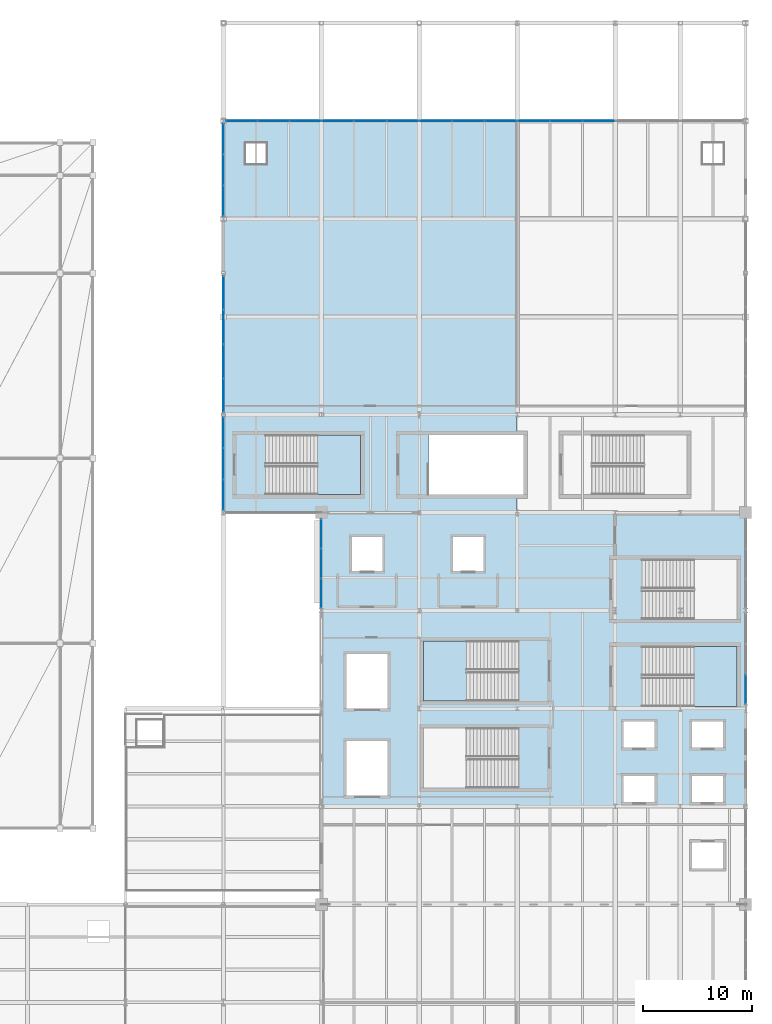
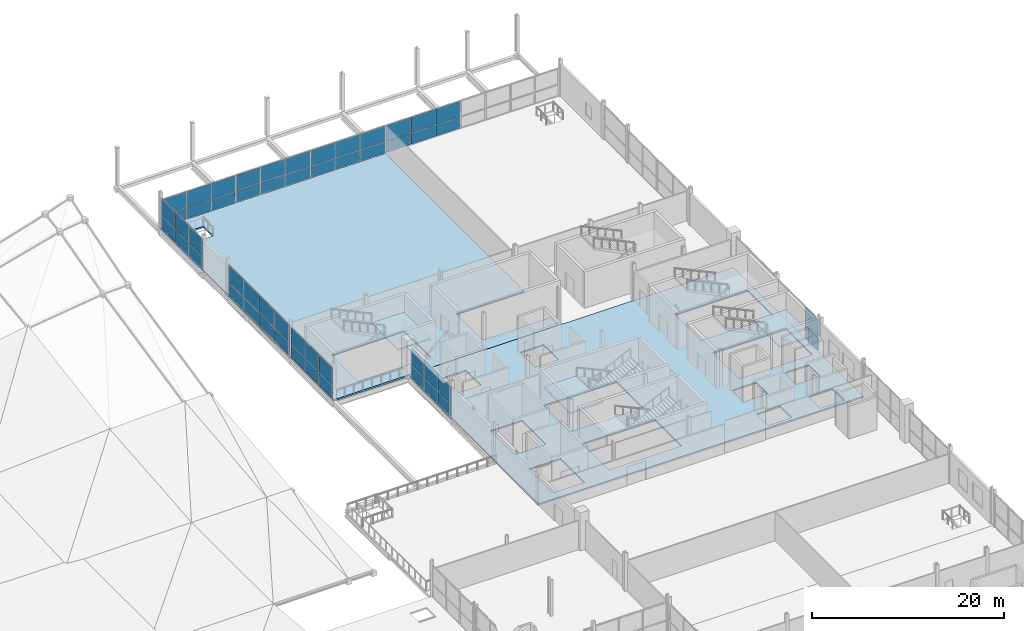
# One storey, part 45 of 69: 52 plates, 5 slabs, 12 elements without a shape of their own.
"""IFC4 building model written with IfcOpenShell, lengths in metres."""

from ifc_helpers import new_model, si_unit, direction, frame, origin, origin_2d, place, context, subcontext, project, spatial, polyline, rectangle, outline, extrude, material, layer, layer_set, type_object, element, aggregate, save


model = new_model("IFC4")

# Units and contexts
model_context = context("Model", 3, precision=1e-05, world=origin(), true_north=direction((0.0, 1.0)))
body_context = subcontext(model_context, "Body", "Model", "MODEL_VIEW")
ifc_project = project(units=[si_unit("LENGTHUNIT", "METRE"), si_unit("AREAUNIT", "SQUARE_METRE"), si_unit("VOLUMEUNIT", "CUBIC_METRE"), si_unit("PLANEANGLEUNIT", "RADIAN"), si_unit("MASSUNIT", "GRAM", prefix="KILO")], contexts=[model_context])

# Site, building, storey
site_placement = place(None, origin())
site = spatial("IfcSite", under=ifc_project, at=site_placement, CompositionType="ELEMENT")
building_placement = place(site_placement, origin())
building = spatial("IfcBuilding", under=site, at=building_placement, Name="Qamarlyn Nura Convention Centre", CompositionType="ELEMENT")
storey_placement = place(building_placement, frame((0.0, 0.0, 15.60009765625)))
storey = spatial("IfcBuildingStorey", under=building, at=storey_placement, Name="L03", CompositionType="ELEMENT", Elevation=15.60009765625)

# Curtain wall, plates
ifc_material_1 = material(Name="Double-silver low-E insulated glass", Category="glass")
ifc_layer_1 = layer(ifc_material_1, 0.179931640625, Name="CW-UNIT-114")
ifc_layer_set_1 = layer_set([ifc_layer_1], Name="Double-silver low-E insulated glass")
curtain_wall_type_1 = type_object("IfcCurtainWallType", Name="CW-UNIT-114", PredefinedType="NOTDEFINED", material=ifc_layer_set_1)
curtain_wall_1_placement = place(storey_placement, origin())
curtain_wall_1 = element("IfcCurtainWall", 1, at=curtain_wall_1_placement, inside=storey, type_object=curtain_wall_type_1, Name="L03 unitised curtain wall EAST-8-1", PredefinedType="NOTDEFINED")
ifc_layer_2 = layer(ifc_material_1, 0.028076171875, Name="CWP-VIS-28")
ifc_layer_set_2 = layer_set([ifc_layer_2], Name="Double-silver low-E insulated glass")
plate_type_1 = type_object("IfcPlateType", Name="CWP-VIS-28", PredefinedType="CURTAIN_PANEL", material=ifc_layer_set_2)
plate_1_placement = place(storey_placement, frame((192.0, 64.771728515625, 0.06982421875), z_axis=(0.0, 0.0, 1.0), x_axis=(0.0, -1.0, 0.0)))
plate_1 = element("IfcPlate", 2, at=plate_1_placement, type_object=plate_type_1, Name="CW114 panel 3.1", PredefinedType="CURTAIN_PANEL", context=body_context, shape_type="SweptSolid", body=[
    extrude(rectangle(XDim=2.708251953125, YDim=0.028076171875, at=origin_2d()), origin(), (0.0, 0.0, 1.0), 1.625),
])
plate_2_placement = place(storey_placement, frame((192.0, 64.771728515625, 1.76513671875), z_axis=(0.0, 0.0, 1.0), x_axis=(0.0, -1.0, 0.0)))
plate_2 = element("IfcPlate", 3, at=plate_2_placement, type_object=plate_type_1, Name="CW114 panel 3.2", PredefinedType="CURTAIN_PANEL", context=body_context, shape_type="SweptSolid", body=[
    extrude(rectangle(XDim=2.708251953125, YDim=0.028076171875, at=origin_2d()), origin(), (0.0, 0.0, 1.0), 2.283935546875),
])
aggregate(curtain_wall_1, [plate_1, plate_2])

ifc_layer_3 = layer(ifc_material_1, 0.179931640625, Name="CW-UNIT-101")
ifc_layer_set_3 = layer_set([ifc_layer_3], Name="Double-silver low-E insulated glass")
curtain_wall_type_2 = type_object("IfcCurtainWallType", Name="CW-UNIT-101", PredefinedType="NOTDEFINED", material=ifc_layer_set_3)
curtain_wall_2_placement = place(storey_placement, origin())
curtain_wall_2 = element("IfcCurtainWall", 4, at=curtain_wall_2_placement, inside=storey, type_object=curtain_wall_type_2, Name="L03 unitised curtain wall CRT-72-1", PredefinedType="NOTDEFINED")
plate_3_placement = place(storey_placement, frame((153.0, 73.6015625, 0.06494140625), z_axis=(0.0, 0.0, 1.0), x_axis=(0.0, 1.0, 0.0)))
plate_3 = element("IfcPlate", 5, at=plate_3_placement, type_object=plate_type_1, Name="CW101 panel 1.1", PredefinedType="CURTAIN_PANEL", context=body_context, shape_type="SweptSolid", body=[
    extrude(rectangle(XDim=2.6484375, YDim=0.028076171875, at=origin_2d()), origin(), (0.0, 0.0, 1.0), 1.571533203125),
])
plate_4_placement = place(storey_placement, frame((153.0, 73.6015625, 1.701416015625), z_axis=(0.0, 0.0, 1.0), x_axis=(0.0, 1.0, 0.0)))
plate_4 = element("IfcPlate", 6, at=plate_4_placement, type_object=plate_type_1, Name="CW101 panel 1.2", PredefinedType="CURTAIN_PANEL", context=body_context, shape_type="SweptSolid", body=[
    extrude(rectangle(XDim=2.6484375, YDim=0.028076171875, at=origin_2d()), origin(), (0.0, 0.0, 1.0), 2.20751953125),
])
plate_5_placement = place(storey_placement, frame((153.0, 76.331298828125, 0.06494140625), z_axis=(0.0, 0.0, 1.0), x_axis=(0.0, 1.0, 0.0)))
plate_5 = element("IfcPlate", 7, at=plate_5_placement, type_object=plate_type_1, Name="CW101 panel 2.1", PredefinedType="CURTAIN_PANEL", context=body_context, shape_type="SweptSolid", body=[
    extrude(rectangle(XDim=2.680908203125, YDim=0.028076171875, at=origin_2d()), origin(), (0.0, 0.0, 1.0), 1.571533203125),
])
plate_6_placement = place(storey_placement, frame((153.0, 76.331298828125, 1.701416015625), z_axis=(0.0, 0.0, 1.0), x_axis=(0.0, 1.0, 0.0)))
plate_6 = element("IfcPlate", 8, at=plate_6_placement, type_object=plate_type_1, Name="CW101 panel 2.2", PredefinedType="CURTAIN_PANEL", context=body_context, shape_type="SweptSolid", body=[
    extrude(rectangle(XDim=2.680908203125, YDim=0.028076171875, at=origin_2d()), origin(), (0.0, 0.0, 1.0), 2.20751953125),
])
plate_7_placement = place(storey_placement, frame((153.0, 79.060791015625, 0.06494140625), z_axis=(0.0, 0.0, 1.0), x_axis=(0.0, 1.0, 0.0)))
plate_7 = element("IfcPlate", 9, at=plate_7_placement, type_object=plate_type_1, Name="CW101 panel 3.1", PredefinedType="CURTAIN_PANEL", context=body_context, shape_type="SweptSolid", body=[
    extrude(rectangle(XDim=2.6484375, YDim=0.028076171875, at=origin_2d()), origin(), (0.0, 0.0, 1.0), 1.571533203125),
])
plate_8_placement = place(storey_placement, frame((153.0, 79.060791015625, 1.701416015625), z_axis=(0.0, 0.0, 1.0), x_axis=(0.0, 1.0, 0.0)))
plate_8 = element("IfcPlate", 10, at=plate_8_placement, type_object=plate_type_1, Name="CW101 panel 3.2", PredefinedType="CURTAIN_PANEL", context=body_context, shape_type="SweptSolid", body=[
    extrude(rectangle(XDim=2.6484375, YDim=0.028076171875, at=origin_2d()), origin(), (0.0, 0.0, 1.0), 2.20751953125),
])
aggregate(curtain_wall_2, [plate_3, plate_4, plate_5, plate_6, plate_7, plate_8])

ifc_layer_4 = layer(ifc_material_1, 0.179931640625, Name="CW-UNIT-127")
ifc_layer_set_4 = layer_set([ifc_layer_4], Name="Double-silver low-E insulated glass")
curtain_wall_type_3 = type_object("IfcCurtainWallType", Name="CW-UNIT-127", PredefinedType="NOTDEFINED", material=ifc_layer_set_4)
curtain_wall_3_placement = place(storey_placement, origin())
curtain_wall_3 = element("IfcCurtainWall", 11, at=curtain_wall_3_placement, inside=storey, type_object=curtain_wall_type_3, Name="L03 unitised curtain wall PLW-81-1", PredefinedType="NOTDEFINED")
plate_9_placement = place(storey_placement, frame((144.0, 82.640869140625, 0.059814453125), z_axis=(0.0, 0.0, 1.0), x_axis=(0.0, 1.0, 0.0)))
plate_9 = element("IfcPlate", 12, at=plate_9_placement, type_object=plate_type_1, Name="CW127 panel 1.1", PredefinedType="CURTAIN_PANEL", context=body_context, shape_type="SweptSolid", body=[
    extrude(rectangle(XDim=2.78955078125, YDim=0.028076171875, at=origin_2d()), origin(), (0.0, 0.0, 1.0), 1.56298828125),
])
plate_10_placement = place(storey_placement, frame((144.0, 82.640869140625, 1.6826171875), z_axis=(0.0, 0.0, 1.0), x_axis=(0.0, 1.0, 0.0)))
plate_10 = element("IfcPlate", 13, at=plate_10_placement, type_object=plate_type_1, Name="CW127 panel 1.2", PredefinedType="CURTAIN_PANEL", context=body_context, shape_type="SweptSolid", body=[
    extrude(rectangle(XDim=2.78955078125, YDim=0.028076171875, at=origin_2d()), origin(), (0.0, 0.0, 1.0), 2.193115234375),
])
plate_11_placement = place(storey_placement, frame((144.0, 85.505615234375, 0.059814453125), z_axis=(0.0, 0.0, 1.0), x_axis=(0.0, 1.0, 0.0)))
plate_11 = element("IfcPlate", 14, at=plate_11_placement, type_object=plate_type_1, Name="CW127 panel 2.1", PredefinedType="CURTAIN_PANEL", context=body_context, shape_type="SweptSolid", body=[
    extrude(rectangle(XDim=2.819580078125, YDim=0.028076171875, at=origin_2d()), origin(), (0.0, 0.0, 1.0), 1.56298828125),
])
plate_12_placement = place(storey_placement, frame((144.0, 85.505615234375, 1.6826171875), z_axis=(0.0, 0.0, 1.0), x_axis=(0.0, 1.0, 0.0)))
plate_12 = element("IfcPlate", 15, at=plate_12_placement, type_object=plate_type_1, Name="CW127 panel 2.2", PredefinedType="CURTAIN_PANEL", context=body_context, shape_type="SweptSolid", body=[
    extrude(rectangle(XDim=2.819580078125, YDim=0.028076171875, at=origin_2d()), origin(), (0.0, 0.0, 1.0), 2.193115234375),
])
plate_13_placement = place(storey_placement, frame((144.0, 88.3701171875, 0.059814453125), z_axis=(0.0, 0.0, 1.0), x_axis=(0.0, 1.0, 0.0)))
plate_13 = element("IfcPlate", 16, at=plate_13_placement, type_object=plate_type_1, Name="CW127 panel 3.1", PredefinedType="CURTAIN_PANEL", context=body_context, shape_type="SweptSolid", body=[
    extrude(rectangle(XDim=2.78955078125, YDim=0.028076171875, at=origin_2d()), origin(), (0.0, 0.0, 1.0), 1.56298828125),
])
plate_14_placement = place(storey_placement, frame((144.0, 88.3701171875, 1.6826171875), z_axis=(0.0, 0.0, 1.0), x_axis=(0.0, 1.0, 0.0)))
plate_14 = element("IfcPlate", 17, at=plate_14_placement, type_object=plate_type_1, Name="CW127 panel 3.2", PredefinedType="CURTAIN_PANEL", context=body_context, shape_type="SweptSolid", body=[
    extrude(rectangle(XDim=2.78955078125, YDim=0.028076171875, at=origin_2d()), origin(), (0.0, 0.0, 1.0), 2.193115234375),
])
aggregate(curtain_wall_3, [plate_9, plate_10, plate_11, plate_12, plate_13, plate_14])

ifc_layer_5 = layer(ifc_material_1, 0.179931640625, Name="CW-UNIT-128")
ifc_layer_set_5 = layer_set([ifc_layer_5], Name="Double-silver low-E insulated glass")
curtain_wall_type_4 = type_object("IfcCurtainWallType", Name="CW-UNIT-128", PredefinedType="NOTDEFINED", material=ifc_layer_set_5)
curtain_wall_4_placement = place(storey_placement, origin())
curtain_wall_4 = element("IfcCurtainWall", 18, at=curtain_wall_4_placement, inside=storey, type_object=curtain_wall_type_4, Name="L03 unitised curtain wall PLW-90-1", PredefinedType="NOTDEFINED")
plate_15_placement = place(storey_placement, frame((144.0, 91.7705078125, 0.06982421875), z_axis=(0.0, 0.0, 1.0), x_axis=(0.0, 1.0, 0.0)))
plate_15 = element("IfcPlate", 19, at=plate_15_placement, type_object=plate_type_1, Name="CW128 panel 1.1", PredefinedType="CURTAIN_PANEL", context=body_context, shape_type="SweptSolid", body=[
    extrude(rectangle(XDim=3.05126953125, YDim=0.028076171875, at=origin_2d()), origin(), (0.0, 0.0, 1.0), 1.5791015625),
])
plate_16_placement = place(storey_placement, frame((144.0, 91.7705078125, 1.71875), z_axis=(0.0, 0.0, 1.0), x_axis=(0.0, 1.0, 0.0)))
plate_16 = element("IfcPlate", 20, at=plate_16_placement, type_object=plate_type_1, Name="CW128 panel 1.2", PredefinedType="CURTAIN_PANEL", context=body_context, shape_type="SweptSolid", body=[
    extrude(rectangle(XDim=3.05126953125, YDim=0.028076171875, at=origin_2d()), origin(), (0.0, 0.0, 1.0), 2.219970703125),
])
plate_17_placement = place(storey_placement, frame((144.0, 94.909423828125, 0.06982421875), z_axis=(0.0, 0.0, 1.0), x_axis=(0.0, 1.0, 0.0)))
plate_17 = element("IfcPlate", 21, at=plate_17_placement, type_object=plate_type_1, Name="CW128 panel 2.1", PredefinedType="CURTAIN_PANEL", context=body_context, shape_type="SweptSolid", body=[
    extrude(rectangle(XDim=3.086181640625, YDim=0.028076171875, at=origin_2d()), origin(), (0.0, 0.0, 1.0), 1.5791015625),
])
plate_18_placement = place(storey_placement, frame((144.0, 94.909423828125, 1.71875), z_axis=(0.0, 0.0, 1.0), x_axis=(0.0, 1.0, 0.0)))
plate_18 = element("IfcPlate", 22, at=plate_18_placement, type_object=plate_type_1, Name="CW128 panel 2.2", PredefinedType="CURTAIN_PANEL", context=body_context, shape_type="SweptSolid", body=[
    extrude(rectangle(XDim=3.086181640625, YDim=0.028076171875, at=origin_2d()), origin(), (0.0, 0.0, 1.0), 2.219970703125),
])
plate_19_placement = place(storey_placement, frame((144.0, 98.065673828125, 0.06982421875), z_axis=(0.0, 0.0, 1.0), x_axis=(0.0, 1.0, 0.0)))
plate_19 = element("IfcPlate", 23, at=plate_19_placement, type_object=plate_type_1, Name="CW128 panel 3.1", PredefinedType="CURTAIN_PANEL", context=body_context, shape_type="SweptSolid", body=[
    extrude(rectangle(XDim=3.086181640625, YDim=0.028076171875, at=origin_2d()), origin(), (0.0, 0.0, 1.0), 1.5791015625),
])
plate_20_placement = place(storey_placement, frame((144.0, 98.065673828125, 1.71875), z_axis=(0.0, 0.0, 1.0), x_axis=(0.0, 1.0, 0.0)))
plate_20 = element("IfcPlate", 24, at=plate_20_placement, type_object=plate_type_1, Name="CW128 panel 3.2", PredefinedType="CURTAIN_PANEL", context=body_context, shape_type="SweptSolid", body=[
    extrude(rectangle(XDim=3.086181640625, YDim=0.028076171875, at=origin_2d()), origin(), (0.0, 0.0, 1.0), 2.219970703125),
])
plate_21_placement = place(storey_placement, frame((144.0, 101.204345703125, 0.06982421875), z_axis=(0.0, 0.0, 1.0), x_axis=(0.0, 1.0, 0.0)))
plate_21 = element("IfcPlate", 25, at=plate_21_placement, type_object=plate_type_1, Name="CW128 panel 4.1", PredefinedType="CURTAIN_PANEL", context=body_context, shape_type="SweptSolid", body=[
    extrude(rectangle(XDim=3.05126953125, YDim=0.028076171875, at=origin_2d()), origin(), (0.0, 0.0, 1.0), 1.5791015625),
])
plate_22_placement = place(storey_placement, frame((144.0, 101.204345703125, 1.71875), z_axis=(0.0, 0.0, 1.0), x_axis=(0.0, 1.0, 0.0)))
plate_22 = element("IfcPlate", 26, at=plate_22_placement, type_object=plate_type_1, Name="CW128 panel 4.2", PredefinedType="CURTAIN_PANEL", context=body_context, shape_type="SweptSolid", body=[
    extrude(rectangle(XDim=3.05126953125, YDim=0.028076171875, at=origin_2d()), origin(), (0.0, 0.0, 1.0), 2.219970703125),
])
aggregate(curtain_wall_4, [plate_15, plate_16, plate_17, plate_18, plate_19, plate_20, plate_21, plate_22])

ifc_layer_6 = layer(ifc_material_1, 0.179931640625, Name="CW-UNIT-130")
ifc_layer_set_6 = layer_set([ifc_layer_6], Name="Double-silver low-E insulated glass")
curtain_wall_type_5 = type_object("IfcCurtainWallType", Name="CW-UNIT-130", PredefinedType="NOTDEFINED", material=ifc_layer_set_6)
curtain_wall_5_placement = place(storey_placement, origin())
curtain_wall_5 = element("IfcCurtainWall", 27, at=curtain_wall_5_placement, inside=storey, type_object=curtain_wall_type_5, Name="L03 unitised curtain wall PLN-N1-1", PredefinedType="NOTDEFINED")
plate_23_placement = place(storey_placement, frame((145.6708984375, 117.0, 0.06005859375), z_axis=(0.0, 0.0, 1.0), x_axis=(1.0, 0.0, 0.0)))
plate_23 = element("IfcPlate", 28, at=plate_23_placement, type_object=plate_type_1, Name="CW130 panel 1.1", PredefinedType="CURTAIN_PANEL", context=body_context, shape_type="SweptSolid", body=[
    extrude(rectangle(XDim=2.84765625, YDim=0.028076171875, at=origin_2d()), origin(), (0.0, 0.0, 1.0), 1.406982421875),
])
plate_24_placement = place(storey_placement, frame((145.6708984375, 117.0, 1.52685546875), z_axis=(0.0, 0.0, 1.0), x_axis=(1.0, 0.0, 0.0)))
plate_24 = element("IfcPlate", 29, at=plate_24_placement, type_object=plate_type_1, Name="CW130 panel 1.2", PredefinedType="CURTAIN_PANEL", context=body_context, shape_type="SweptSolid", body=[
    extrude(rectangle(XDim=2.84765625, YDim=0.028076171875, at=origin_2d()), origin(), (0.0, 0.0, 1.0), 1.9765625),
])
plate_25_placement = place(storey_placement, frame((148.593505859375, 117.0, 0.06005859375), z_axis=(0.0, 0.0, 1.0), x_axis=(1.0, 0.0, 0.0)))
plate_25 = element("IfcPlate", 30, at=plate_25_placement, type_object=plate_type_1, Name="CW130 panel 2.1", PredefinedType="CURTAIN_PANEL", context=body_context, shape_type="SweptSolid", body=[
    extrude(rectangle(XDim=2.877685546875, YDim=0.028076171875, at=origin_2d()), origin(), (0.0, 0.0, 1.0), 1.406982421875),
])
plate_26_placement = place(storey_placement, frame((148.593505859375, 117.0, 1.52685546875), z_axis=(0.0, 0.0, 1.0), x_axis=(1.0, 0.0, 0.0)))
plate_26 = element("IfcPlate", 31, at=plate_26_placement, type_object=plate_type_1, Name="CW130 panel 2.2", PredefinedType="CURTAIN_PANEL", context=body_context, shape_type="SweptSolid", body=[
    extrude(rectangle(XDim=2.877685546875, YDim=0.028076171875, at=origin_2d()), origin(), (0.0, 0.0, 1.0), 1.9765625),
])
plate_27_placement = place(storey_placement, frame((151.51611328125, 117.0, 0.06005859375), z_axis=(0.0, 0.0, 1.0), x_axis=(1.0, 0.0, 0.0)))
plate_27 = element("IfcPlate", 32, at=plate_27_placement, type_object=plate_type_1, Name="CW130 panel 3.1", PredefinedType="CURTAIN_PANEL", context=body_context, shape_type="SweptSolid", body=[
    extrude(rectangle(XDim=2.84765625, YDim=0.028076171875, at=origin_2d()), origin(), (0.0, 0.0, 1.0), 1.406982421875),
])
plate_28_placement = place(storey_placement, frame((151.51611328125, 117.0, 1.52685546875), z_axis=(0.0, 0.0, 1.0), x_axis=(1.0, 0.0, 0.0)))
plate_28 = element("IfcPlate", 33, at=plate_28_placement, type_object=plate_type_1, Name="CW130 panel 3.2", PredefinedType="CURTAIN_PANEL", context=body_context, shape_type="SweptSolid", body=[
    extrude(rectangle(XDim=2.84765625, YDim=0.028076171875, at=origin_2d()), origin(), (0.0, 0.0, 1.0), 1.9765625),
])
aggregate(curtain_wall_5, [plate_23, plate_24, plate_25, plate_26, plate_27, plate_28])

ifc_layer_7 = layer(ifc_material_1, 0.179931640625, Name="CW-UNIT-131")
ifc_layer_set_7 = layer_set([ifc_layer_7], Name="Double-silver low-E insulated glass")
curtain_wall_type_6 = type_object("IfcCurtainWallType", Name="CW-UNIT-131", PredefinedType="NOTDEFINED", material=ifc_layer_set_7)
curtain_wall_6_placement = place(storey_placement, origin())
curtain_wall_6 = element("IfcCurtainWall", 34, at=curtain_wall_6_placement, inside=storey, type_object=curtain_wall_type_6, Name="L03 unitised curtain wall PLN-N2-1", PredefinedType="NOTDEFINED")
plate_29_placement = place(storey_placement, frame((154.517578125, 117.0, 0.06982421875), z_axis=(0.0, 0.0, 1.0), x_axis=(1.0, 0.0, 0.0)))
plate_29 = element("IfcPlate", 35, at=plate_29_placement, type_object=plate_type_1, Name="CW131 panel 1.1", PredefinedType="CURTAIN_PANEL", context=body_context, shape_type="SweptSolid", body=[
    extrude(rectangle(XDim=2.89501953125, YDim=0.028076171875, at=origin_2d()), origin(), (0.0, 0.0, 1.0), 1.39208984375),
])
plate_30_placement = place(storey_placement, frame((154.517578125, 117.0, 1.531982421875), z_axis=(0.0, 0.0, 1.0), x_axis=(1.0, 0.0, 0.0)))
plate_30 = element("IfcPlate", 36, at=plate_30_placement, type_object=plate_type_1, Name="CW131 panel 1.2", PredefinedType="CURTAIN_PANEL", context=body_context, shape_type="SweptSolid", body=[
    extrude(rectangle(XDim=2.89501953125, YDim=0.028076171875, at=origin_2d()), origin(), (0.0, 0.0, 1.0), 1.96142578125),
])
plate_31_placement = place(storey_placement, frame((157.5, 117.0, 0.06982421875), z_axis=(0.0, 0.0, 1.0), x_axis=(1.0, 0.0, 0.0)))
plate_31 = element("IfcPlate", 37, at=plate_31_placement, type_object=plate_type_1, Name="CW131 panel 2.1", PredefinedType="CURTAIN_PANEL", context=body_context, shape_type="SweptSolid", body=[
    extrude(rectangle(XDim=2.929931640625, YDim=0.028076171875, at=origin_2d()), origin(), (0.0, 0.0, 1.0), 1.39208984375),
])
plate_32_placement = place(storey_placement, frame((157.5, 117.0, 1.531982421875), z_axis=(0.0, 0.0, 1.0), x_axis=(1.0, 0.0, 0.0)))
plate_32 = element("IfcPlate", 38, at=plate_32_placement, type_object=plate_type_1, Name="CW131 panel 2.2", PredefinedType="CURTAIN_PANEL", context=body_context, shape_type="SweptSolid", body=[
    extrude(rectangle(XDim=2.929931640625, YDim=0.028076171875, at=origin_2d()), origin(), (0.0, 0.0, 1.0), 1.96142578125),
])
plate_33_placement = place(storey_placement, frame((160.482421875, 117.0, 0.06982421875), z_axis=(0.0, 0.0, 1.0), x_axis=(1.0, 0.0, 0.0)))
plate_33 = element("IfcPlate", 39, at=plate_33_placement, type_object=plate_type_1, Name="CW131 panel 3.1", PredefinedType="CURTAIN_PANEL", context=body_context, shape_type="SweptSolid", body=[
    extrude(rectangle(XDim=2.89501953125, YDim=0.028076171875, at=origin_2d()), origin(), (0.0, 0.0, 1.0), 1.39208984375),
])
plate_34_placement = place(storey_placement, frame((160.482421875, 117.0, 1.531982421875), z_axis=(0.0, 0.0, 1.0), x_axis=(1.0, 0.0, 0.0)))
plate_34 = element("IfcPlate", 40, at=plate_34_placement, type_object=plate_type_1, Name="CW131 panel 3.2", PredefinedType="CURTAIN_PANEL", context=body_context, shape_type="SweptSolid", body=[
    extrude(rectangle(XDim=2.89501953125, YDim=0.028076171875, at=origin_2d()), origin(), (0.0, 0.0, 1.0), 1.96142578125),
])
aggregate(curtain_wall_6, [plate_29, plate_30, plate_31, plate_32, plate_33, plate_34])

curtain_wall_7_placement = place(storey_placement, origin())
curtain_wall_7 = element("IfcCurtainWall", 41, at=curtain_wall_7_placement, inside=storey, type_object=curtain_wall_type_6, Name="L03 unitised curtain wall PLN-N3-1", PredefinedType="NOTDEFINED")
plate_35_placement = place(storey_placement, frame((163.516357421875, 117.0, 0.06494140625), z_axis=(0.0, 0.0, 1.0), x_axis=(1.0, 0.0, 0.0)))
plate_35 = element("IfcPlate", 42, at=plate_35_placement, type_object=plate_type_1, Name="CW131 panel 1.1", PredefinedType="CURTAIN_PANEL", context=body_context, shape_type="SweptSolid", body=[
    extrude(rectangle(XDim=2.902587890625, YDim=0.028076171875, at=origin_2d()), origin(), (0.0, 0.0, 1.0), 1.3994140625),
])
plate_36_placement = place(storey_placement, frame((163.516357421875, 117.0, 1.529296875), z_axis=(0.0, 0.0, 1.0), x_axis=(1.0, 0.0, 0.0)))
plate_36 = element("IfcPlate", 43, at=plate_36_placement, type_object=plate_type_1, Name="CW131 panel 1.2", PredefinedType="CURTAIN_PANEL", context=body_context, shape_type="SweptSolid", body=[
    extrude(rectangle(XDim=2.902587890625, YDim=0.028076171875, at=origin_2d()), origin(), (0.0, 0.0, 1.0), 1.968994140625),
])
plate_37_placement = place(storey_placement, frame((166.5, 117.0, 0.06494140625), z_axis=(0.0, 0.0, 1.0), x_axis=(1.0, 0.0, 0.0)))
plate_37 = element("IfcPlate", 44, at=plate_37_placement, type_object=plate_type_1, Name="CW131 panel 2.1", PredefinedType="CURTAIN_PANEL", context=body_context, shape_type="SweptSolid", body=[
    extrude(rectangle(XDim=2.93505859375, YDim=0.028076171875, at=origin_2d()), origin(), (0.0, 0.0, 1.0), 1.3994140625),
])
plate_38_placement = place(storey_placement, frame((166.5, 117.0, 1.529296875), z_axis=(0.0, 0.0, 1.0), x_axis=(1.0, 0.0, 0.0)))
plate_38 = element("IfcPlate", 45, at=plate_38_placement, type_object=plate_type_1, Name="CW131 panel 2.2", PredefinedType="CURTAIN_PANEL", context=body_context, shape_type="SweptSolid", body=[
    extrude(rectangle(XDim=2.93505859375, YDim=0.028076171875, at=origin_2d()), origin(), (0.0, 0.0, 1.0), 1.968994140625),
])
plate_39_placement = place(storey_placement, frame((169.483642578125, 117.0, 0.06494140625), z_axis=(0.0, 0.0, 1.0), x_axis=(1.0, 0.0, 0.0)))
plate_39 = element("IfcPlate", 46, at=plate_39_placement, type_object=plate_type_1, Name="CW131 panel 3.1", PredefinedType="CURTAIN_PANEL", context=body_context, shape_type="SweptSolid", body=[
    extrude(rectangle(XDim=2.902587890625, YDim=0.028076171875, at=origin_2d()), origin(), (0.0, 0.0, 1.0), 1.3994140625),
])
plate_40_placement = place(storey_placement, frame((169.483642578125, 117.0, 1.529296875), z_axis=(0.0, 0.0, 1.0), x_axis=(1.0, 0.0, 0.0)))
plate_40 = element("IfcPlate", 47, at=plate_40_placement, type_object=plate_type_1, Name="CW131 panel 3.2", PredefinedType="CURTAIN_PANEL", context=body_context, shape_type="SweptSolid", body=[
    extrude(rectangle(XDim=2.902587890625, YDim=0.028076171875, at=origin_2d()), origin(), (0.0, 0.0, 1.0), 1.968994140625),
])
aggregate(curtain_wall_7, [plate_35, plate_36, plate_37, plate_38, plate_39, plate_40])

ifc_layer_8 = layer(ifc_material_1, 0.179931640625, Name="CW-UNIT-129")
ifc_layer_set_8 = layer_set([ifc_layer_8], Name="Double-silver low-E insulated glass")
curtain_wall_type_7 = type_object("IfcCurtainWallType", Name="CW-UNIT-129", PredefinedType="NOTDEFINED", material=ifc_layer_set_8)
curtain_wall_8_placement = place(storey_placement, origin())
curtain_wall_8 = element("IfcCurtainWall", 48, at=curtain_wall_8_placement, inside=storey, type_object=curtain_wall_type_7, Name="L03 unitised curtain wall PLW-108-1", PredefinedType="NOTDEFINED")
ifc_layer_9 = layer(ifc_material_1, 0.031982421875, Name="CWP-VIS-32")
ifc_layer_set_9 = layer_set([ifc_layer_9], Name="Double-silver low-E insulated glass")
plate_type_2 = type_object("IfcPlateType", Name="CWP-VIS-32", PredefinedType="CURTAIN_PANEL", material=ifc_layer_set_9)
plate_41_placement = place(storey_placement, frame((144.0, 109.64892578125, 0.06494140625), z_axis=(0.0, 0.0, 1.0), x_axis=(0.0, 1.0, 0.0)))
plate_41 = element("IfcPlate", 49, at=plate_41_placement, type_object=plate_type_2, Name="CW129 panel 1.1", PredefinedType="CURTAIN_PANEL", context=body_context, shape_type="SweptSolid", body=[
    extrude(rectangle(XDim=2.77490234375, YDim=0.031982421875, at=origin_2d()), origin(), (0.0, 0.0, 1.0), 1.553466796875),
])
plate_42_placement = place(storey_placement, frame((144.0, 109.64892578125, 1.68359375), z_axis=(0.0, 0.0, 1.0), x_axis=(0.0, 1.0, 0.0)))
plate_42 = element("IfcPlate", 50, at=plate_42_placement, type_object=plate_type_2, Name="CW129 panel 1.2", PredefinedType="CURTAIN_PANEL", context=body_context, shape_type="SweptSolid", body=[
    extrude(rectangle(XDim=2.77490234375, YDim=0.031982421875, at=origin_2d()), origin(), (0.0, 0.0, 1.0), 2.181396484375),
])
plate_43_placement = place(storey_placement, frame((144.0, 112.50537109375, 0.06494140625), z_axis=(0.0, 0.0, 1.0), x_axis=(0.0, 1.0, 0.0)))
plate_43 = element("IfcPlate", 51, at=plate_43_placement, type_object=plate_type_2, Name="CW129 panel 2.1", PredefinedType="CURTAIN_PANEL", context=body_context, shape_type="SweptSolid", body=[
    extrude(rectangle(XDim=2.8076171875, YDim=0.031982421875, at=origin_2d()), origin(), (0.0, 0.0, 1.0), 1.553466796875),
])
plate_44_placement = place(storey_placement, frame((144.0, 112.50537109375, 1.68359375), z_axis=(0.0, 0.0, 1.0), x_axis=(0.0, 1.0, 0.0)))
plate_44 = element("IfcPlate", 52, at=plate_44_placement, type_object=plate_type_2, Name="CW129 panel 2.2", PredefinedType="CURTAIN_PANEL", context=body_context, shape_type="SweptSolid", body=[
    extrude(rectangle(XDim=2.8076171875, YDim=0.031982421875, at=origin_2d()), origin(), (0.0, 0.0, 1.0), 2.181396484375),
])
plate_45_placement = place(storey_placement, frame((144.0, 115.361572265625, 0.06494140625), z_axis=(0.0, 0.0, 1.0), x_axis=(0.0, 1.0, 0.0)))
plate_45 = element("IfcPlate", 53, at=plate_45_placement, type_object=plate_type_2, Name="CW129 panel 3.1", PredefinedType="CURTAIN_PANEL", context=body_context, shape_type="SweptSolid", body=[
    extrude(rectangle(XDim=2.77490234375, YDim=0.031982421875, at=origin_2d()), origin(), (0.0, 0.0, 1.0), 1.553466796875),
])
plate_46_placement = place(storey_placement, frame((144.0, 115.361572265625, 1.68359375), z_axis=(0.0, 0.0, 1.0), x_axis=(0.0, 1.0, 0.0)))
plate_46 = element("IfcPlate", 54, at=plate_46_placement, type_object=plate_type_2, Name="CW129 panel 3.2", PredefinedType="CURTAIN_PANEL", context=body_context, shape_type="SweptSolid", body=[
    extrude(rectangle(XDim=2.77490234375, YDim=0.031982421875, at=origin_2d()), origin(), (0.0, 0.0, 1.0), 2.181396484375),
])
aggregate(curtain_wall_8, [plate_41, plate_42, plate_43, plate_44, plate_45, plate_46])

curtain_wall_9_placement = place(storey_placement, origin())
curtain_wall_9 = element("IfcCurtainWall", 55, at=curtain_wall_9_placement, inside=storey, type_object=curtain_wall_type_6, Name="L03 unitised curtain wall PLN-N4-1", PredefinedType="NOTDEFINED")
plate_47_placement = place(storey_placement, frame((172.514892578125, 117.0, 0.06005859375), z_axis=(0.0, 0.0, 1.0), x_axis=(1.0, 0.0, 0.0)))
plate_47 = element("IfcPlate", 56, at=plate_47_placement, type_object=plate_type_2, Name="CW131 panel 1.1", PredefinedType="CURTAIN_PANEL", context=body_context, shape_type="SweptSolid", body=[
    extrude(rectangle(XDim=2.909912109375, YDim=0.031982421875, at=origin_2d()), origin(), (0.0, 0.0, 1.0), 1.406982421875),
])
plate_48_placement = place(storey_placement, frame((172.514892578125, 117.0, 1.52685546875), z_axis=(0.0, 0.0, 1.0), x_axis=(1.0, 0.0, 0.0)))
plate_48 = element("IfcPlate", 57, at=plate_48_placement, type_object=plate_type_2, Name="CW131 panel 1.2", PredefinedType="CURTAIN_PANEL", context=body_context, shape_type="SweptSolid", body=[
    extrude(rectangle(XDim=2.909912109375, YDim=0.031982421875, at=origin_2d()), origin(), (0.0, 0.0, 1.0), 1.9765625),
])
plate_49_placement = place(storey_placement, frame((175.5, 117.0, 0.06005859375), z_axis=(0.0, 0.0, 1.0), x_axis=(1.0, 0.0, 0.0)))
plate_49 = element("IfcPlate", 58, at=plate_49_placement, type_object=plate_type_2, Name="CW131 panel 2.1", PredefinedType="CURTAIN_PANEL", context=body_context, shape_type="SweptSolid", body=[
    extrude(rectangle(XDim=2.93994140625, YDim=0.031982421875, at=origin_2d()), origin(), (0.0, 0.0, 1.0), 1.406982421875),
])
plate_50_placement = place(storey_placement, frame((175.5, 117.0, 1.52685546875), z_axis=(0.0, 0.0, 1.0), x_axis=(1.0, 0.0, 0.0)))
plate_50 = element("IfcPlate", 59, at=plate_50_placement, type_object=plate_type_2, Name="CW131 panel 2.2", PredefinedType="CURTAIN_PANEL", context=body_context, shape_type="SweptSolid", body=[
    extrude(rectangle(XDim=2.93994140625, YDim=0.031982421875, at=origin_2d()), origin(), (0.0, 0.0, 1.0), 1.9765625),
])
plate_51_placement = place(storey_placement, frame((178.485107421875, 117.0, 0.06005859375), z_axis=(0.0, 0.0, 1.0), x_axis=(1.0, 0.0, 0.0)))
plate_51 = element("IfcPlate", 60, at=plate_51_placement, type_object=plate_type_2, Name="CW131 panel 3.1", PredefinedType="CURTAIN_PANEL", context=body_context, shape_type="SweptSolid", body=[
    extrude(rectangle(XDim=2.909912109375, YDim=0.031982421875, at=origin_2d()), origin(), (0.0, 0.0, 1.0), 1.406982421875),
])
plate_52_placement = place(storey_placement, frame((178.485107421875, 117.0, 1.52685546875), z_axis=(0.0, 0.0, 1.0), x_axis=(1.0, 0.0, 0.0)))
plate_52 = element("IfcPlate", 61, at=plate_52_placement, type_object=plate_type_2, Name="CW131 panel 3.2", PredefinedType="CURTAIN_PANEL", context=body_context, shape_type="SweptSolid", body=[
    extrude(rectangle(XDim=2.909912109375, YDim=0.031982421875, at=origin_2d()), origin(), (0.0, 0.0, 1.0), 1.9765625),
])
aggregate(curtain_wall_9, [plate_47, plate_48, plate_49, plate_50, plate_51, plate_52])

# Slabs
ifc_material_2 = material(Name="Concrete C40/50", Category="concrete")
ifc_layer_10 = layer(ifc_material_2, 0.199951171875, Name="SL-L03")
ifc_layer_set_10 = layer_set([ifc_layer_10], Name="Concrete C40/50")
slab_type_1 = type_object("IfcSlabType", Name="SL-L03", PredefinedType="FLOOR", material=ifc_layer_set_10)
slab_1_placement = place(storey_placement, frame((0.0, 0.0, -0.2001953125)))
element("IfcSlab", 62, at=slab_1_placement, inside=storey, type_object=slab_type_1, Name="L03 floor slab L03-DR1", PredefinedType="FLOOR", context=body_context, shape_type="SweptSolid", body=[
    extrude(outline(polyline([(153.0, 54.0), (153.0, 81.0), (192.0, 81.0), (192.0, 54.0), (153.0, 54.0)]), holes=[polyline([(159.10009765625, 60.0), (155.300048828125, 60.0), (155.300048828125, 55.0), (159.10009765625, 55.0), (159.10009765625, 60.0)]), polyline([(171.139892578125, 61.199951171875), (162.39990234375, 61.199951171875), (162.39990234375, 55.699951171875), (171.139892578125, 55.699951171875), (171.139892578125, 61.199951171875)]), polyline([(159.10009765625, 63.0), (159.10009765625, 68.0), (155.300048828125, 68.0), (155.300048828125, 63.0), (159.10009765625, 63.0)]), polyline([(162.39990234375, 69.199951171875), (162.39990234375, 63.699951171875), (171.139892578125, 63.699951171875), (171.139892578125, 69.199951171875), (162.39990234375, 69.199951171875)]), polyline([(158.60009765625, 78.75), (155.800048828125, 78.75), (155.800048828125, 75.64990234375), (158.60009765625, 75.64990234375), (158.60009765625, 78.75)]), polyline([(167.89990234375, 78.75), (165.10009765625, 78.75), (165.10009765625, 75.64990234375), (167.89990234375, 75.64990234375), (167.89990234375, 78.75)]), polyline([(183.625, 54.39990234375), (183.625, 56.800048828125), (180.77490234375, 56.800048828125), (180.77490234375, 54.39990234375), (183.625, 54.39990234375)]), polyline([(189.925048828125, 54.39990234375), (189.925048828125, 56.800048828125), (187.074951171875, 56.800048828125), (187.074951171875, 54.39990234375), (189.925048828125, 54.39990234375)]), polyline([(183.625, 61.800048828125), (180.77490234375, 61.800048828125), (180.77490234375, 59.39990234375), (183.625, 59.39990234375), (183.625, 61.800048828125)]), polyline([(189.925048828125, 61.800048828125), (187.074951171875, 61.800048828125), (187.074951171875, 59.39990234375), (189.925048828125, 59.39990234375), (189.925048828125, 61.800048828125)]), polyline([(191.199951171875, 63.199951171875), (191.199951171875, 68.699951171875), (182.4599609375, 68.699951171875), (182.4599609375, 63.199951171875), (191.199951171875, 63.199951171875)]), polyline([(182.4599609375, 71.199951171875), (191.199951171875, 71.199951171875), (191.199951171875, 76.699951171875), (182.4599609375, 76.699951171875), (182.4599609375, 71.199951171875)])]), origin(), (0.0, 0.0, 1.0), 0.2001953125),
])
slab_2_placement = place(storey_placement, frame((0.0, 0.0, -0.2001953125)))
element("IfcSlab", 63, at=slab_2_placement, inside=storey, type_object=slab_type_1, Name="L03 floor slab L03-CG1", PredefinedType="FLOOR", context=body_context, shape_type="SweptSolid", body=[
    extrude(outline(polyline([(144.0, 117.0), (171.0, 117.0), (171.0, 88.14990234375), (162.860107421875, 88.14990234375), (162.860107421875, 82.64990234375), (171.0, 82.64990234375), (171.0, 81.0), (144.0, 81.0), (144.0, 117.0)]), holes=[polyline([(146.0, 115.0), (146.0, 113.0), (148.0, 113.0), (148.0, 115.0), (146.0, 115.0)]), polyline([(147.860107421875, 82.64990234375), (156.60009765625, 82.64990234375), (156.60009765625, 88.14990234375), (147.860107421875, 88.14990234375), (147.860107421875, 82.64990234375)])]), origin(), (0.0, 0.0, 1.0), 0.2001953125),
])

# Stair, slab
stair_type = type_object("IfcStairType", Name="STAIR-EXIT-48", PredefinedType="HALF_TURN_STAIR", material=ifc_material_2)
stair_1_placement = place(storey_placement, origin())
stair_1 = element("IfcStair", 64, at=stair_1_placement, inside=storey, type_object=stair_type, Name="L03 Enclosed exit stair ST-12", PredefinedType="HALF_TURN_STAIR")
ifc_layer_11 = layer(ifc_material_2, 0.199951171875, Name="SL-LAND-200")
ifc_layer_set_11 = layer_set([ifc_layer_11], Name="Concrete C40/50")
slab_type_2 = type_object("IfcSlabType", Name="SL-LAND-200", PredefinedType="LANDING", material=ifc_layer_set_11)
slab_3_placement = place(storey_placement, frame((0.0, 0.0, 2.199951171875)))
slab_3 = element("IfcSlab", 65, at=slab_3_placement, type_object=slab_type_2, Name="ST-12 landing 1", PredefinedType="LANDING", context=body_context, shape_type="SweptSolid", body=[
    extrude(outline(polyline([(166.340087890625, 69.199951171875), (162.39990234375, 69.199951171875), (162.39990234375, 63.699951171875), (166.340087890625, 63.699951171875), (166.340087890625, 69.199951171875)])), origin(), (0.0, 0.0, 1.0), 0.199951171875),
])
aggregate(stair_1, [slab_3])

stair_2_placement = place(storey_placement, origin())
stair_2 = element("IfcStair", 66, at=stair_2_placement, inside=storey, type_object=stair_type, Name="L03 Enclosed exit stair ST-13", PredefinedType="HALF_TURN_STAIR")
slab_4_placement = place(storey_placement, frame((0.0, 0.0, 2.199951171875)))
slab_4 = element("IfcSlab", 67, at=slab_4_placement, type_object=slab_type_2, Name="ST-13 landing 1", PredefinedType="LANDING", context=body_context, shape_type="SweptSolid", body=[
    extrude(outline(polyline([(187.260009765625, 63.199951171875), (191.199951171875, 63.199951171875), (191.199951171875, 68.699951171875), (187.260009765625, 68.699951171875), (187.260009765625, 63.199951171875)])), origin(), (0.0, 0.0, 1.0), 0.199951171875),
])
aggregate(stair_2, [slab_4])

stair_3_placement = place(storey_placement, origin())
stair_3 = element("IfcStair", 68, at=stair_3_placement, inside=storey, type_object=stair_type, Name="L03 Enclosed exit stair ST-15", PredefinedType="HALF_TURN_STAIR")
slab_5_placement = place(storey_placement, frame((0.0, 0.0, 2.199951171875)))
slab_5 = element("IfcSlab", 69, at=slab_5_placement, type_object=slab_type_2, Name="ST-15 landing 1", PredefinedType="LANDING", context=body_context, shape_type="SweptSolid", body=[
    extrude(outline(polyline([(152.659912109375, 82.64990234375), (156.60009765625, 82.64990234375), (156.60009765625, 88.14990234375), (152.659912109375, 88.14990234375), (152.659912109375, 82.64990234375)])), origin(), (0.0, 0.0, 1.0), 0.199951171875),
])
aggregate(stair_3, [slab_5])

save(model, "model.ifc")
